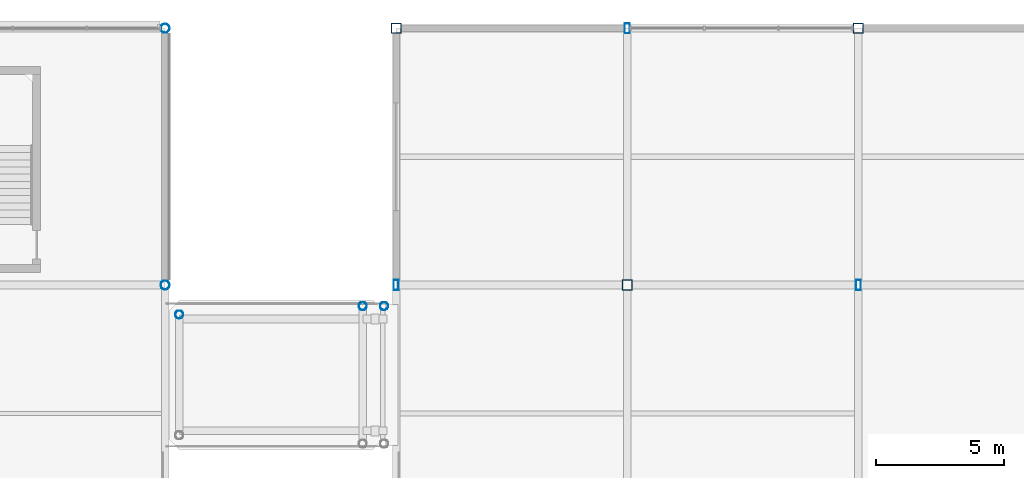
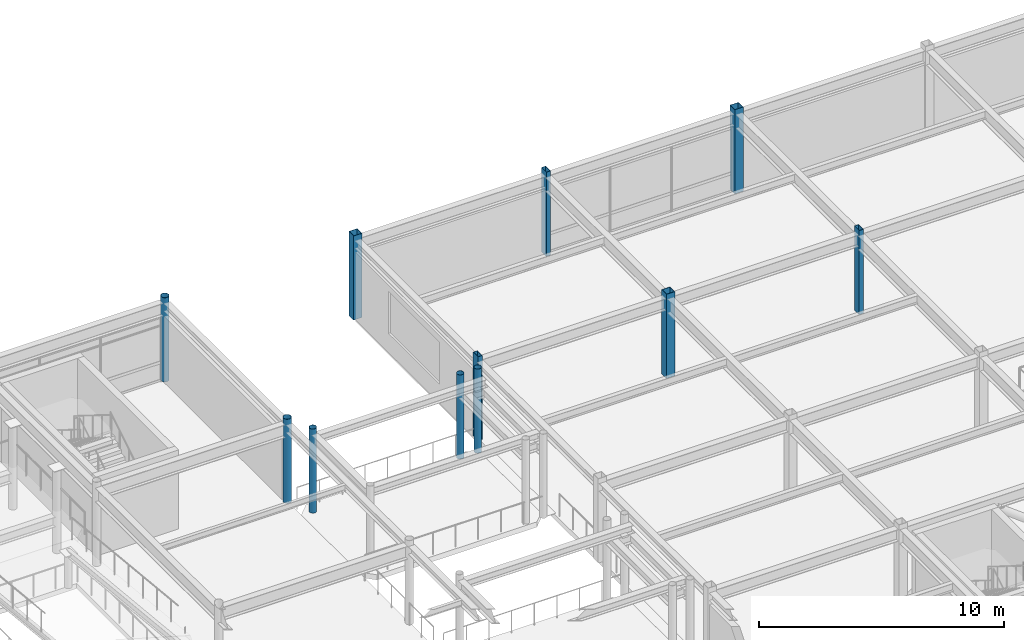
# One storey, part 5 of 70: 11 columns.
"""IFC4 building model written with IfcOpenShell, lengths in metres."""

from ifc_helpers import new_model, si_unit, direction, frame, origin, origin_2d, place, context, subcontext, project, spatial, hollow_rectangle, hollow_circle, extrude, material, material_profile, profile_set, type_object, element, save


model = new_model("IFC4")

# Units and contexts
model_context = context("Model", 3, precision=1e-05, world=origin(), true_north=direction((0.0, 1.0)))
body_context = subcontext(model_context, "Body", "Model", "MODEL_VIEW")
ifc_project = project(units=[si_unit("LENGTHUNIT", "METRE"), si_unit("AREAUNIT", "SQUARE_METRE"), si_unit("VOLUMEUNIT", "CUBIC_METRE"), si_unit("PLANEANGLEUNIT", "RADIAN"), si_unit("MASSUNIT", "GRAM", prefix="KILO")], contexts=[model_context])

# Site, building, storey
site_placement = place(None, origin())
site = spatial("IfcSite", under=ifc_project, at=site_placement, CompositionType="ELEMENT")
building_placement = place(site_placement, origin())
building = spatial("IfcBuilding", under=site, at=building_placement, Name="Suzunagisa Mobility Hub", CompositionType="ELEMENT")
storey_placement = place(building_placement, frame((0.0, 0.0, 13.5)))
storey = spatial("IfcBuildingStorey", under=building, at=storey_placement, Name="L03", CompositionType="ELEMENT", Elevation=13.5)

# Columns
ifc_material = material(Name="Steel SN490B", Category="steel")
ifc_material_profile_1 = material_profile(ifc_material, hollow_rectangle(XDim=0.199951171875, YDim=0.39990234375, WallThickness=0.011962890625, at=origin_2d()), Name="RHS-400x200x12")
ifc_profile_set_1 = profile_set([ifc_material_profile_1], Name="Steel SN490B")
column_type_1 = type_object("IfcColumnType", Name="Steel Column CL-03 RHS-400x200x12", PredefinedType="COLUMN", material=ifc_profile_set_1)
for number, where, z_axis, x_axis, name in (
    (1, (45.0, 108.0, 0.0), (0.0, 0.0, 1.0), (1.0, 0.0, 0.0), "L03 Column 121"),
    (2, (54.0, 118.0, 0.0), (0.0, 0.0, 1.0), (1.0, 0.0, 0.0), "L03 Column 133"),
    (3, (63.0, 108.0, 0.0), (0.0, 0.0, 1.0), (1.0, 0.0, 0.0), "L03 Column 141"),
):
    element("IfcColumn", number, at=place(storey_placement, frame(where, z_axis=z_axis, x_axis=x_axis)), inside=storey, type_object=column_type_1, Name=name, PredefinedType="COLUMN", context=body_context, shape_type="SweptSolid", body=[
        extrude(hollow_rectangle(XDim=0.199951171875, YDim=0.39990234375, WallThickness=0.011962890625, at=origin_2d()), origin(), (0.0, 0.0, 1.0), 4.199951171875),
    ])
ifc_material_profile_2 = material_profile(ifc_material, hollow_circle(Radius=0.1591796875, WallThickness=0.01025390625, at=origin_2d()), Name="CHS-318.5x10.3")
ifc_profile_set_2 = profile_set([ifc_material_profile_2], Name="Steel SN490B")
column_type_2 = type_object("IfcColumnType", Name="Steel Column CL-09 CHS-318.5x10.3", PredefinedType="COLUMN", material=ifc_profile_set_2)
for number, where, z_axis, x_axis, name in (
    (4, (36.550048828125, 106.85009765625, 0.0), (0.0, 0.0, 1.0), (1.0, 0.0, 0.0), "L03 Column 95"),
    (5, (43.699951171875, 107.179931640625, 0.0), (0.0, 0.0, 1.0), (1.0, 0.0, 0.0), "L03 Column 108"),
    (6, (44.530029296875, 107.179931640625, 0.0), (0.0, 0.0, 1.0), (1.0, 0.0, 0.0), "L03 Column 114"),
):
    element("IfcColumn", number, at=place(storey_placement, frame(where, z_axis=z_axis, x_axis=x_axis)), inside=storey, type_object=column_type_2, Name=name, PredefinedType="COLUMN", context=body_context, shape_type="SweptSolid", body=[
        extrude(hollow_circle(Radius=0.1591796875, WallThickness=0.01025390625, at=origin_2d()), origin(), (0.0, 0.0, 1.0), 4.199951171875),
    ])
ifc_material_profile_3 = material_profile(ifc_material, hollow_rectangle(XDim=0.39990234375, YDim=0.39990234375, WallThickness=0.01904296875, at=origin_2d()), Name="BCR-400x400x19")
ifc_profile_set_3 = profile_set([ifc_material_profile_3], Name="Steel SN490B")
column_type_3 = type_object("IfcColumnType", Name="Steel Column CL-13 BCR-400x400x19", PredefinedType="COLUMN", material=ifc_profile_set_3)
for number, where, z_axis, x_axis, name in (
    (7, (45.0, 118.0, 0.0), (0.0, 0.0, 1.0), (1.0, 0.0, 0.0), "L03 Column 122"),
    (8, (54.0, 108.0, 0.0), (0.0, 0.0, 1.0), (1.0, 0.0, 0.0), "L03 Column 132"),
    (9, (63.0, 118.0, 0.0), (0.0, 0.0, 1.0), (1.0, 0.0, 0.0), "L03 Column 142"),
):
    element("IfcColumn", number, at=place(storey_placement, frame(where, z_axis=z_axis, x_axis=x_axis)), inside=storey, type_object=column_type_3, Name=name, PredefinedType="COLUMN", context=body_context, shape_type="SweptSolid", body=[
        extrude(hollow_rectangle(XDim=0.39990234375, YDim=0.39990234375, WallThickness=0.01904296875, at=origin_2d()), origin(), (0.0, 0.0, 1.0), 4.199951171875),
    ])
ifc_material_profile_4 = material_profile(ifc_material, hollow_circle(Radius=0.177734375, WallThickness=0.0126953125, at=origin_2d()), Name="CHS-355.6x12.7")
ifc_profile_set_4 = profile_set([ifc_material_profile_4], Name="Steel SN490B")
column_type_4 = type_object("IfcColumnType", Name="Steel Column CL-18 CHS-355.6x12.7", PredefinedType="COLUMN", material=ifc_profile_set_4)
for number, where, z_axis, x_axis, name in (
    (10, (36.0, 108.0, 0.0), (0.0, 0.0, 1.0), (1.0, 0.0, 0.0), "L03 Column 88"),
    (11, (36.0, 118.0, 0.0), (0.0, 0.0, 1.0), (1.0, 0.0, 0.0), "L03 Column 89"),
):
    element("IfcColumn", number, at=place(storey_placement, frame(where, z_axis=z_axis, x_axis=x_axis)), inside=storey, type_object=column_type_4, Name=name, PredefinedType="COLUMN", context=body_context, shape_type="SweptSolid", body=[
        extrude(hollow_circle(Radius=0.177734375, WallThickness=0.0126953125, at=origin_2d()), origin(), (0.0, 0.0, 1.0), 4.199951171875),
    ])

save(model, "model.ifc")
